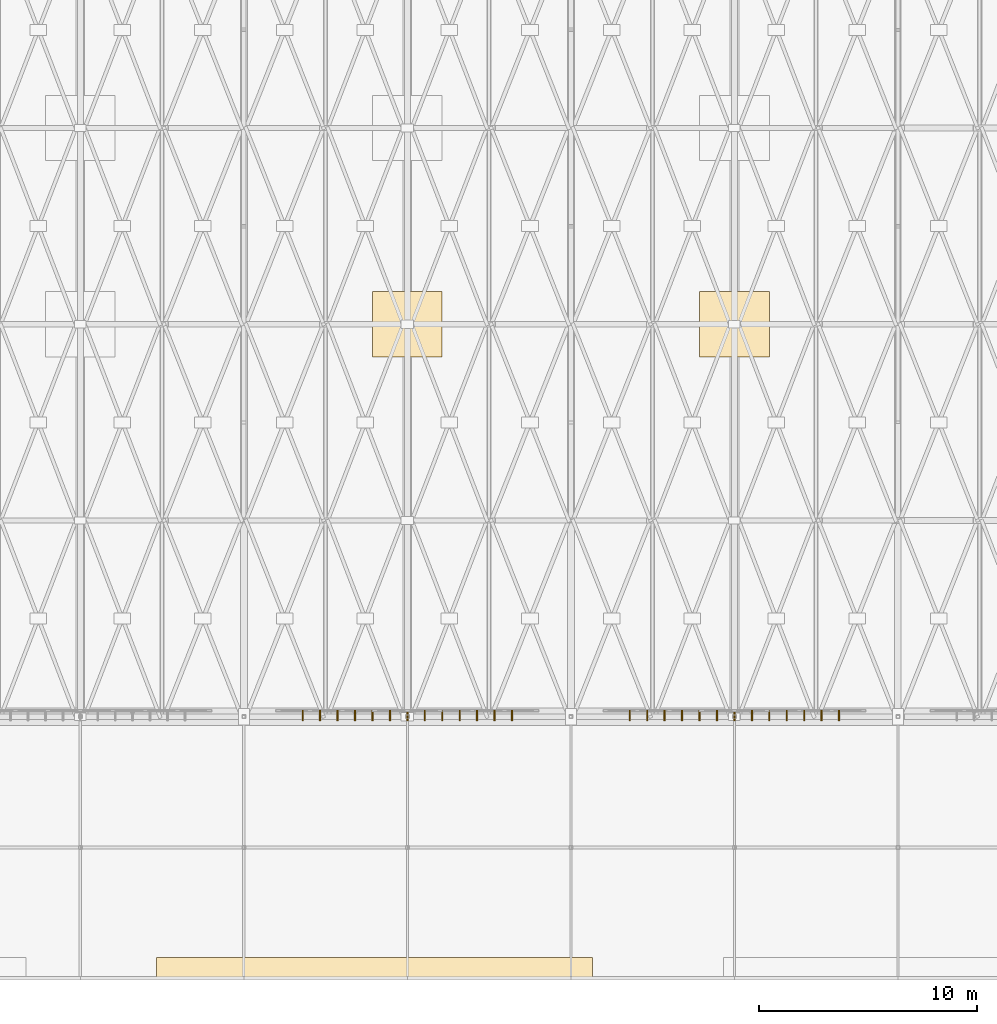
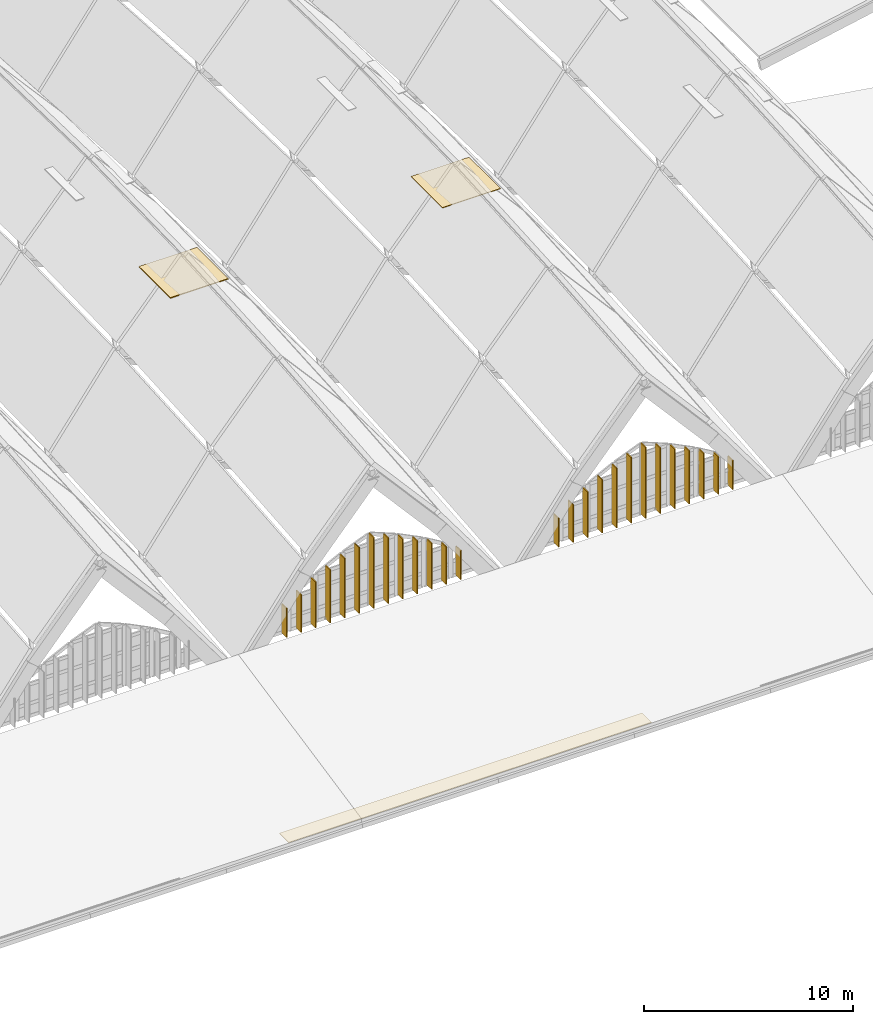
# One storey, part 87 of 93: 26 shading devices, 3 coverings.
"""IFC4 building model written with IfcOpenShell, lengths in metres."""

from ifc_helpers import new_model, si_unit, direction, frame, origin, origin_2d, place, context, subcontext, project, spatial, polyline, rectangle, outline, extrude, material, layer, layer_set, material_profile, profile_set, type_object, element, save


model = new_model("IFC4")

# Units and contexts
model_context = context("Model", 3, precision=1e-05, world=origin(), true_north=direction((0.0, 1.0)))
body_context = subcontext(model_context, "Body", "Model", "MODEL_VIEW")
ifc_project = project(units=[si_unit("LENGTHUNIT", "METRE"), si_unit("AREAUNIT", "SQUARE_METRE"), si_unit("VOLUMEUNIT", "CUBIC_METRE"), si_unit("PLANEANGLEUNIT", "RADIAN"), si_unit("MASSUNIT", "GRAM", prefix="KILO")], contexts=[model_context])

# Site, building, storey
site_placement = place(None, origin())
site = spatial("IfcSite", under=ifc_project, at=site_placement, CompositionType="ELEMENT")
building_placement = place(site_placement, origin())
building = spatial("IfcBuilding", under=site, at=building_placement, Name="Vourika Railside Aquatics Centre", CompositionType="ELEMENT")
storey_placement = place(building_placement, frame((0.0, 0.0, 21.89990234375)))
storey = spatial("IfcBuildingStorey", under=building, at=storey_placement, Name="Roof", CompositionType="ELEMENT", Elevation=21.89990234375)

# Coverings
ifc_material_1 = material(Name="Anodized aluminium", Category="aluminium")
ifc_layer_1 = layer(ifc_material_1, 0.02490234375, Name="COV-ROOF-SEAM25")
ifc_layer_set_1 = layer_set([ifc_layer_1], Name="Anodized aluminium")
covering_type_1 = type_object("IfcCoveringType", Name="COV-ROOF-SEAM25", PredefinedType="ROOFING", material=ifc_layer_set_1)
covering_1_placement = place(storey_placement, frame((0.0, 0.0, -12.369873046875)))
element("IfcCovering", 1, at=covering_1_placement, inside=storey, type_object=covering_type_1, Name="Monsoon Eave Gutter Flashing 3", PredefinedType="ROOFING", context=body_context, shape_type="SweptSolid", body=[
    extrude(outline(polyline([(92.0, 0.050048828125), (112.0, 0.050048828125), (112.0, 0.949951171875), (92.0, 0.949951171875), (92.0, 0.050048828125)])), origin(), (0.0, 0.0, 1.0), 0.02490234375),
])
ifc_material_2 = material(Name="Glulam GL28h", Category="wood")
ifc_layer_2 = layer(ifc_material_2, 0.034912109375, Name="COV-SOFFIT-TIM35")
ifc_layer_set_2 = layer_set([ifc_layer_2], Name="Glulam GL28h")
covering_type_2 = type_object("IfcCoveringType", Name="COV-SOFFIT-TIM35", PredefinedType="CEILING", material=ifc_layer_set_2)
covering_2_placement = place(storey_placement, frame((0.0, 0.0, -1.349365234375)))
element("IfcCovering", 2, at=covering_2_placement, inside=storey, type_object=covering_type_2, Name="Perforated Acoustic Timber Soffit Liner Bay 6-1", PredefinedType="CEILING", context=body_context, shape_type="SweptSolid", body=[
    extrude(outline(polyline([(116.89990234375, 28.5), (120.10009765625, 28.5), (120.10009765625, 31.5), (116.89990234375, 31.5), (116.89990234375, 28.5)])), origin(), (0.0, 0.0, 1.0), 0.037109375),
])
ifc_layer_3 = layer(ifc_material_2, 0.050048828125, Name="COV-SOFFIT-TIM50")
ifc_layer_set_3 = layer_set([ifc_layer_3], Name="Glulam GL28h")
covering_type_3 = type_object("IfcCoveringType", Name="COV-SOFFIT-TIM50", PredefinedType="CEILING", material=ifc_layer_set_3)
covering_3_placement = place(storey_placement, frame((0.0, 0.0, -1.3642578125)))
element("IfcCovering", 3, at=covering_3_placement, inside=storey, type_object=covering_type_3, Name="Perforated Acoustic Timber Soffit Liner Bay 5-1", PredefinedType="CEILING", context=body_context, shape_type="SweptSolid", body=[
    extrude(outline(polyline([(101.89990234375, 28.5), (105.10009765625, 28.5), (105.10009765625, 31.5), (101.89990234375, 31.5), (101.89990234375, 28.5)])), origin(), (0.0, 0.0, 1.0), 0.052001953125),
])

# Shading devices
ifc_material_3 = material(Name="Bronze-anodized extruded aluminium", Category="aluminium")
ifc_material_profile_1 = material_profile(ifc_material_3, rectangle(XDim=0.06005859375, YDim=0.47998046875, at=origin_2d()), Name="ALU-FIN 60x480")
ifc_profile_set_1 = profile_set([ifc_material_profile_1], Name="Bronze-anodized extruded aluminium")
shading_device_type_1 = type_object("IfcShadingDeviceType", Name="SHD-FIN-F48A", PredefinedType="USERDEFINED", material=ifc_profile_set_1)
shading_device_1_placement = place(storey_placement, frame((98.699951171875, 12.06494140625, -9.8798828125), z_axis=(0.0, 0.0, 1.0), x_axis=(-1.0, 0.0, 0.0)))
element("IfcShadingDevice", 4, at=shading_device_1_placement, inside=storey, type_object=shading_device_type_1, Name="Vertical Solar Fin VSF-0118", ObjectType="FIN", PredefinedType="USERDEFINED", context=body_context, shape_type="SweptSolid", body=[
    extrude(rectangle(XDim=0.06005859375, YDim=0.47998046875, at=origin_2d()), origin(), (0.0, 0.0, 1.0), 1.68603515625),
])
shading_device_2_placement = place(storey_placement, frame((99.5, 12.06494140625, -9.8798828125), z_axis=(0.0, 0.0, 1.0), x_axis=(-1.0, 0.0, 0.0)))
element("IfcShadingDevice", 5, at=shading_device_2_placement, inside=storey, type_object=shading_device_type_1, Name="Vertical Solar Fin VSF-0119", ObjectType="FIN", PredefinedType="USERDEFINED", context=body_context, shape_type="SweptSolid", body=[
    extrude(rectangle(XDim=0.06005859375, YDim=0.47998046875, at=origin_2d()), origin(), (0.0, 0.0, 1.0), 2.196044921875),
])
shading_device_3_placement = place(storey_placement, frame((100.300048828125, 12.06494140625, -9.8798828125), z_axis=(0.0, 0.0, 1.0), x_axis=(-1.0, 0.0, 0.0)))
element("IfcShadingDevice", 6, at=shading_device_3_placement, inside=storey, type_object=shading_device_type_1, Name="Vertical Solar Fin VSF-0120", ObjectType="FIN", PredefinedType="USERDEFINED", context=body_context, shape_type="SweptSolid", body=[
    extrude(rectangle(XDim=0.06005859375, YDim=0.47998046875, at=origin_2d()), origin(), (0.0, 0.0, 1.0), 2.6650390625),
])
shading_device_4_placement = place(storey_placement, frame((101.10009765625, 12.06494140625, -9.8798828125), z_axis=(0.0, 0.0, 1.0), x_axis=(-1.0, 0.0, 0.0)))
element("IfcShadingDevice", 7, at=shading_device_4_placement, inside=storey, type_object=shading_device_type_1, Name="Vertical Solar Fin VSF-0121", ObjectType="FIN", PredefinedType="USERDEFINED", context=body_context, shape_type="SweptSolid", body=[
    extrude(rectangle(XDim=0.06005859375, YDim=0.47998046875, at=origin_2d()), origin(), (0.0, 0.0, 1.0), 3.093017578125),
])
shading_device_5_placement = place(storey_placement, frame((101.89990234375, 12.06494140625, -9.8798828125), z_axis=(0.0, 0.0, 1.0), x_axis=(-1.0, 0.0, 0.0)))
element("IfcShadingDevice", 8, at=shading_device_5_placement, inside=storey, type_object=shading_device_type_1, Name="Vertical Solar Fin VSF-0122", ObjectType="FIN", PredefinedType="USERDEFINED", context=body_context, shape_type="SweptSolid", body=[
    extrude(rectangle(XDim=0.06005859375, YDim=0.47998046875, at=origin_2d()), origin(), (0.0, 0.0, 1.0), 3.47998046875),
])
for number, where, z_axis, x_axis, name in (
    (9, (102.699951171875, 12.06494140625, -9.8798828125), (0.0, 0.0, 1.0), (-1.0, 0.0, 0.0), "Vertical Solar Fin VSF-0123"),
    (10, (104.300048828125, 12.06494140625, -9.8798828125), (0.0, 0.0, 1.0), (-1.0, 0.0, 0.0), "Vertical Solar Fin VSF-0125"),
):
    element("IfcShadingDevice", number, at=place(storey_placement, frame(where, z_axis=z_axis, x_axis=x_axis)), inside=storey, type_object=shading_device_type_1, Name=name, ObjectType="FIN", PredefinedType="USERDEFINED", context=body_context, shape_type="SweptSolid", body=[
        extrude(rectangle(XDim=0.06005859375, YDim=0.47998046875, at=origin_2d()), origin(), (0.0, 0.0, 1.0), 3.824951171875),
    ])
shading_device_6_placement = place(storey_placement, frame((105.10009765625, 12.06494140625, -9.8798828125), z_axis=(0.0, 0.0, 1.0), x_axis=(-1.0, 0.0, 0.0)))
element("IfcShadingDevice", 11, at=shading_device_6_placement, inside=storey, type_object=shading_device_type_1, Name="Vertical Solar Fin VSF-0126", ObjectType="FIN", PredefinedType="USERDEFINED", context=body_context, shape_type="SweptSolid", body=[
    extrude(rectangle(XDim=0.06005859375, YDim=0.47998046875, at=origin_2d()), origin(), (0.0, 0.0, 1.0), 3.47998046875),
])
shading_device_7_placement = place(storey_placement, frame((105.89990234375, 12.06494140625, -9.8798828125), z_axis=(0.0, 0.0, 1.0), x_axis=(-1.0, 0.0, 0.0)))
element("IfcShadingDevice", 12, at=shading_device_7_placement, inside=storey, type_object=shading_device_type_1, Name="Vertical Solar Fin VSF-0127", ObjectType="FIN", PredefinedType="USERDEFINED", context=body_context, shape_type="SweptSolid", body=[
    extrude(rectangle(XDim=0.06005859375, YDim=0.47998046875, at=origin_2d()), origin(), (0.0, 0.0, 1.0), 3.093017578125),
])
shading_device_8_placement = place(storey_placement, frame((106.699951171875, 12.06494140625, -9.8798828125), z_axis=(0.0, 0.0, 1.0), x_axis=(-1.0, 0.0, 0.0)))
element("IfcShadingDevice", 13, at=shading_device_8_placement, inside=storey, type_object=shading_device_type_1, Name="Vertical Solar Fin VSF-0128", ObjectType="FIN", PredefinedType="USERDEFINED", context=body_context, shape_type="SweptSolid", body=[
    extrude(rectangle(XDim=0.06005859375, YDim=0.47998046875, at=origin_2d()), origin(), (0.0, 0.0, 1.0), 2.6650390625),
])
shading_device_9_placement = place(storey_placement, frame((107.5, 12.06494140625, -9.8798828125), z_axis=(0.0, 0.0, 1.0), x_axis=(-1.0, 0.0, 0.0)))
element("IfcShadingDevice", 14, at=shading_device_9_placement, inside=storey, type_object=shading_device_type_1, Name="Vertical Solar Fin VSF-0129", ObjectType="FIN", PredefinedType="USERDEFINED", context=body_context, shape_type="SweptSolid", body=[
    extrude(rectangle(XDim=0.06005859375, YDim=0.47998046875, at=origin_2d()), origin(), (0.0, 0.0, 1.0), 2.196044921875),
])
for number, where, z_axis, x_axis, name in (
    (15, (108.300048828125, 12.06494140625, -9.8798828125), (0.0, 0.0, 1.0), (-1.0, 0.0, 0.0), "Vertical Solar Fin VSF-0130"),
    (16, (113.699951171875, 12.06494140625, -9.8798828125), (0.0, 0.0, 1.0), (-1.0, 0.0, 0.0), "Vertical Solar Fin VSF-0144"),
):
    element("IfcShadingDevice", number, at=place(storey_placement, frame(where, z_axis=z_axis, x_axis=x_axis)), inside=storey, type_object=shading_device_type_1, Name=name, ObjectType="FIN", PredefinedType="USERDEFINED", context=body_context, shape_type="SweptSolid", body=[
        extrude(rectangle(XDim=0.06005859375, YDim=0.47998046875, at=origin_2d()), origin(), (0.0, 0.0, 1.0), 1.68603515625),
    ])
shading_device_10_placement = place(storey_placement, frame((114.5, 12.06494140625, -9.8798828125), z_axis=(0.0, 0.0, 1.0), x_axis=(-1.0, 0.0, 0.0)))
element("IfcShadingDevice", 17, at=shading_device_10_placement, inside=storey, type_object=shading_device_type_1, Name="Vertical Solar Fin VSF-0145", ObjectType="FIN", PredefinedType="USERDEFINED", context=body_context, shape_type="SweptSolid", body=[
    extrude(rectangle(XDim=0.06005859375, YDim=0.47998046875, at=origin_2d()), origin(), (0.0, 0.0, 1.0), 2.196044921875),
])
shading_device_11_placement = place(storey_placement, frame((115.300048828125, 12.06494140625, -9.8798828125), z_axis=(0.0, 0.0, 1.0), x_axis=(-1.0, 0.0, 0.0)))
element("IfcShadingDevice", 18, at=shading_device_11_placement, inside=storey, type_object=shading_device_type_1, Name="Vertical Solar Fin VSF-0146", ObjectType="FIN", PredefinedType="USERDEFINED", context=body_context, shape_type="SweptSolid", body=[
    extrude(rectangle(XDim=0.06005859375, YDim=0.47998046875, at=origin_2d()), origin(), (0.0, 0.0, 1.0), 2.6650390625),
])
shading_device_12_placement = place(storey_placement, frame((116.10009765625, 12.06494140625, -9.8798828125), z_axis=(0.0, 0.0, 1.0), x_axis=(-1.0, 0.0, 0.0)))
element("IfcShadingDevice", 19, at=shading_device_12_placement, inside=storey, type_object=shading_device_type_1, Name="Vertical Solar Fin VSF-0147", ObjectType="FIN", PredefinedType="USERDEFINED", context=body_context, shape_type="SweptSolid", body=[
    extrude(rectangle(XDim=0.06005859375, YDim=0.47998046875, at=origin_2d()), origin(), (0.0, 0.0, 1.0), 3.093017578125),
])
shading_device_13_placement = place(storey_placement, frame((116.89990234375, 12.06494140625, -9.8798828125), z_axis=(0.0, 0.0, 1.0), x_axis=(-1.0, 0.0, 0.0)))
element("IfcShadingDevice", 20, at=shading_device_13_placement, inside=storey, type_object=shading_device_type_1, Name="Vertical Solar Fin VSF-0148", ObjectType="FIN", PredefinedType="USERDEFINED", context=body_context, shape_type="SweptSolid", body=[
    extrude(rectangle(XDim=0.06005859375, YDim=0.47998046875, at=origin_2d()), origin(), (0.0, 0.0, 1.0), 3.47998046875),
])
for number, where, z_axis, x_axis, name in (
    (21, (117.699951171875, 12.06494140625, -9.8798828125), (0.0, 0.0, 1.0), (-1.0, 0.0, 0.0), "Vertical Solar Fin VSF-0149"),
    (22, (119.300048828125, 12.06494140625, -9.8798828125), (0.0, 0.0, 1.0), (-1.0, 0.0, 0.0), "Vertical Solar Fin VSF-0151"),
):
    element("IfcShadingDevice", number, at=place(storey_placement, frame(where, z_axis=z_axis, x_axis=x_axis)), inside=storey, type_object=shading_device_type_1, Name=name, ObjectType="FIN", PredefinedType="USERDEFINED", context=body_context, shape_type="SweptSolid", body=[
        extrude(rectangle(XDim=0.06005859375, YDim=0.47998046875, at=origin_2d()), origin(), (0.0, 0.0, 1.0), 3.824951171875),
    ])
shading_device_14_placement = place(storey_placement, frame((120.10009765625, 12.06494140625, -9.8798828125), z_axis=(0.0, 0.0, 1.0), x_axis=(-1.0, 0.0, 0.0)))
element("IfcShadingDevice", 23, at=shading_device_14_placement, inside=storey, type_object=shading_device_type_1, Name="Vertical Solar Fin VSF-0152", ObjectType="FIN", PredefinedType="USERDEFINED", context=body_context, shape_type="SweptSolid", body=[
    extrude(rectangle(XDim=0.06005859375, YDim=0.47998046875, at=origin_2d()), origin(), (0.0, 0.0, 1.0), 3.47998046875),
])
shading_device_15_placement = place(storey_placement, frame((120.89990234375, 12.06494140625, -9.8798828125), z_axis=(0.0, 0.0, 1.0), x_axis=(-1.0, 0.0, 0.0)))
element("IfcShadingDevice", 24, at=shading_device_15_placement, inside=storey, type_object=shading_device_type_1, Name="Vertical Solar Fin VSF-0153", ObjectType="FIN", PredefinedType="USERDEFINED", context=body_context, shape_type="SweptSolid", body=[
    extrude(rectangle(XDim=0.06005859375, YDim=0.47998046875, at=origin_2d()), origin(), (0.0, 0.0, 1.0), 3.093017578125),
])
shading_device_16_placement = place(storey_placement, frame((121.699951171875, 12.06494140625, -9.8798828125), z_axis=(0.0, 0.0, 1.0), x_axis=(-1.0, 0.0, 0.0)))
element("IfcShadingDevice", 25, at=shading_device_16_placement, inside=storey, type_object=shading_device_type_1, Name="Vertical Solar Fin VSF-0154", ObjectType="FIN", PredefinedType="USERDEFINED", context=body_context, shape_type="SweptSolid", body=[
    extrude(rectangle(XDim=0.06005859375, YDim=0.47998046875, at=origin_2d()), origin(), (0.0, 0.0, 1.0), 2.6650390625),
])
shading_device_17_placement = place(storey_placement, frame((122.5, 12.06494140625, -9.8798828125), z_axis=(0.0, 0.0, 1.0), x_axis=(-1.0, 0.0, 0.0)))
element("IfcShadingDevice", 26, at=shading_device_17_placement, inside=storey, type_object=shading_device_type_1, Name="Vertical Solar Fin VSF-0155", ObjectType="FIN", PredefinedType="USERDEFINED", context=body_context, shape_type="SweptSolid", body=[
    extrude(rectangle(XDim=0.06005859375, YDim=0.47998046875, at=origin_2d()), origin(), (0.0, 0.0, 1.0), 2.196044921875),
])
shading_device_18_placement = place(storey_placement, frame((123.300048828125, 12.06494140625, -9.8798828125), z_axis=(0.0, 0.0, 1.0), x_axis=(-1.0, 0.0, 0.0)))
element("IfcShadingDevice", 27, at=shading_device_18_placement, inside=storey, type_object=shading_device_type_1, Name="Vertical Solar Fin VSF-0156", ObjectType="FIN", PredefinedType="USERDEFINED", context=body_context, shape_type="SweptSolid", body=[
    extrude(rectangle(XDim=0.06005859375, YDim=0.47998046875, at=origin_2d()), origin(), (0.0, 0.0, 1.0), 1.68603515625),
])
ifc_material_profile_2 = material_profile(ifc_material_3, rectangle(XDim=0.06005859375, YDim=0.47998046875, at=origin_2d()), Name="ALU-FIN 60x480")
ifc_profile_set_2 = profile_set([ifc_material_profile_2], Name="Bronze-anodized extruded aluminium")
shading_device_type_2 = type_object("IfcShadingDeviceType", Name="SHD-FIN-F48B", PredefinedType="USERDEFINED", material=ifc_profile_set_2)
for number, where, z_axis, x_axis, name in (
    (28, (103.5, 12.06494140625, -9.8798828125), (0.0, 0.0, 1.0), (-1.0, 0.0, 0.0), "Vertical Solar Fin VSF-0124"),
    (29, (118.5, 12.06494140625, -9.8798828125), (0.0, 0.0, 1.0), (-1.0, 0.0, 0.0), "Vertical Solar Fin VSF-0150"),
):
    element("IfcShadingDevice", number, at=place(storey_placement, frame(where, z_axis=z_axis, x_axis=x_axis)), inside=storey, type_object=shading_device_type_2, Name=name, ObjectType="FIN", PredefinedType="USERDEFINED", context=body_context, shape_type="SweptSolid", body=[
        extrude(rectangle(XDim=0.06005859375, YDim=0.47998046875, at=origin_2d()), origin(), (0.0, 0.0, 1.0), 4.1298828125),
    ])

save(model, "model.ifc")
